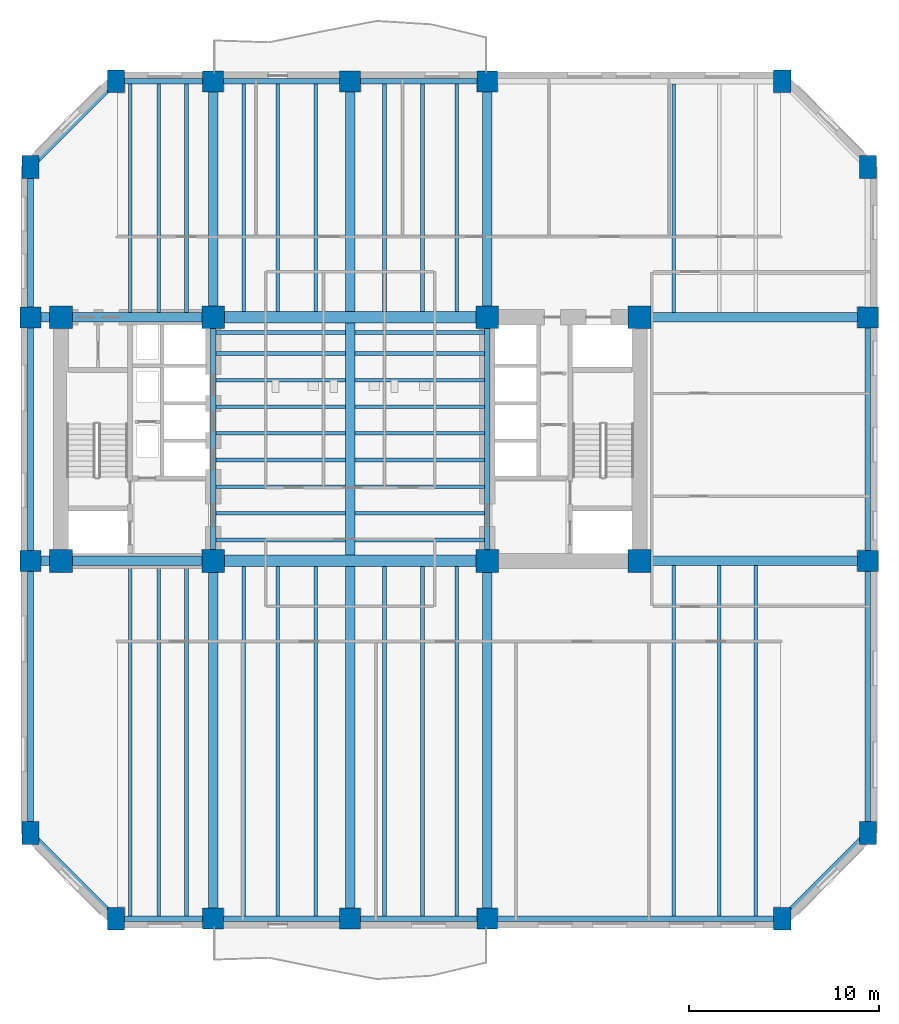
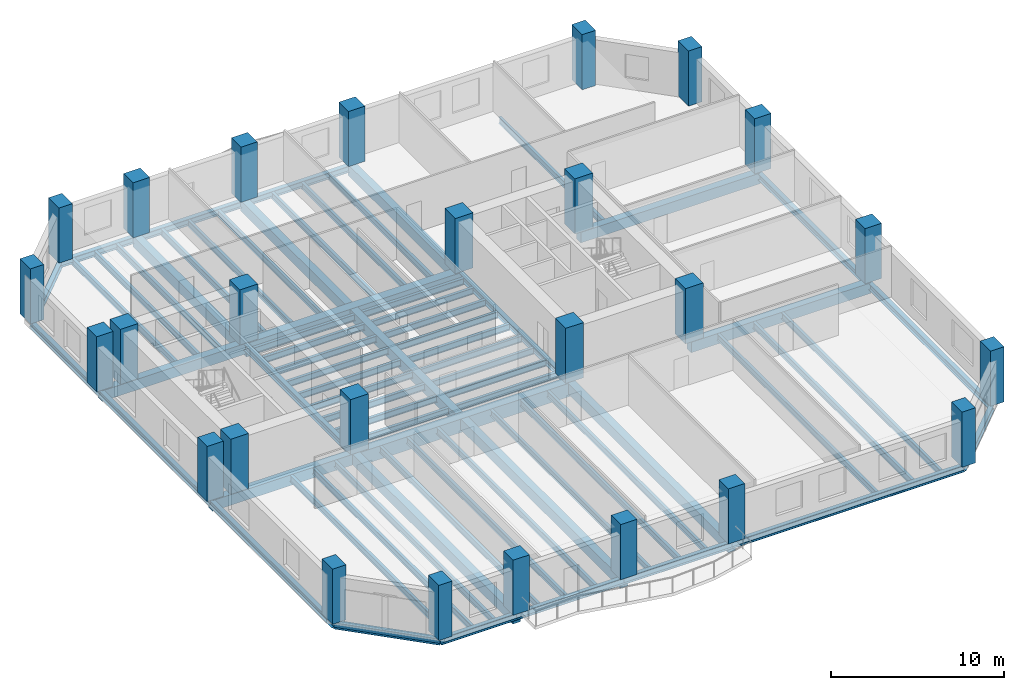
# One storey, part 1 of 9: 70 beams, 26 columns.
"""IFC4 building model written with IfcOpenShell, lengths in metres."""

from ifc_helpers import new_model, si_unit, direction, frame, origin, origin_2d, place, context, subcontext, project, spatial, rectangle, i_section, extrude, material, material_profile, profile_set, type_object, element, save


model = new_model("IFC4")

# Units and contexts
model_context = context("Model", 3, precision=1e-05, world=origin(), true_north=direction((0.0, 1.0)))
body_context = subcontext(model_context, "Body", "Model", "MODEL_VIEW")
ifc_project = project(units=[si_unit("LENGTHUNIT", "METRE"), si_unit("AREAUNIT", "SQUARE_METRE"), si_unit("VOLUMEUNIT", "CUBIC_METRE"), si_unit("PLANEANGLEUNIT", "RADIAN"), si_unit("MASSUNIT", "GRAM", prefix="KILO")], contexts=[model_context])

# Site, building, storey
site_placement = place(None, origin())
site = spatial("IfcSite", under=ifc_project, at=site_placement, CompositionType="ELEMENT")
building_placement = place(site_placement, origin())
building = spatial("IfcBuilding", under=site, at=building_placement, Name="Kranthara Brick Stack", CompositionType="ELEMENT")
storey_placement = place(building_placement, frame((0.0, 0.0, 63.300048828125)))
storey = spatial("IfcBuildingStorey", under=building, at=storey_placement, Name="L15", CompositionType="ELEMENT", Elevation=63.300048828125)

# Columns
ifc_material_1 = material(Name="Concrete C70/85", Category="concrete")
ifc_material_profile_1 = material_profile(ifc_material_1, rectangle(XDim=0.89990234375, YDim=1.199951171875, at=origin_2d()), Name="RC 900x1200")
ifc_profile_set_1 = profile_set([ifc_material_profile_1], Name="Concrete C70/85")
column_type_1 = type_object("IfcColumnType", Name="COL-CHAM-900x1200", PredefinedType="COLUMN", material=ifc_profile_set_1)
for number, where, z_axis, x_axis, name in (
    (1, (15.699951171875, 2.0, 0.0), (0.0, 0.0, 1.0), (1.0, 0.0, 0.0), "L15 Column 09"),
    (2, (15.699951171875, 46.0, 0.0), (0.0, 0.0, 1.0), (1.0, 0.0, 0.0), "L15 Column 10"),
    (3, (50.699951171875, 2.0, 0.0), (0.0, 0.0, 1.0), (1.0, 0.0, 0.0), "L15 Column 17"),
    (4, (50.699951171875, 46.0, 0.0), (0.0, 0.0, 1.0), (1.0, 0.0, 0.0), "L15 Column 18"),
    (5, (11.199951171875, 6.5, 0.0), (0.0, 0.0, 1.0), (1.0, 0.0, 0.0), "L15 Column 19"),
    (6, (55.199951171875, 6.5, 0.0), (0.0, 0.0, 1.0), (1.0, 0.0, 0.0), "L15 Column 20"),
    (7, (11.199951171875, 41.5, 0.0), (0.0, 0.0, 1.0), (1.0, 0.0, 0.0), "L15 Column 25"),
    (8, (55.199951171875, 41.5, 0.0), (0.0, 0.0, 1.0), (1.0, 0.0, 0.0), "L15 Column 26"),
):
    element("IfcColumn", number, at=place(storey_placement, frame(where, z_axis=z_axis, x_axis=x_axis)), inside=storey, type_object=column_type_1, Name=name, PredefinedType="COLUMN", context=body_context, shape_type="SweptSolid", body=[
        extrude(rectangle(XDim=0.89990234375, YDim=1.199951171875, at=origin_2d()), origin(), (0.0, 0.0, 1.0), 3.89990234375),
    ])
ifc_material_2 = material(Name="Concrete C70/85", Category="concrete")
ifc_material_profile_2 = material_profile(ifc_material_2, rectangle(XDim=1.199951171875, YDim=1.199951171875, at=origin_2d()), Name="RC 1200x1200")
ifc_profile_set_2 = profile_set([ifc_material_profile_2], Name="Concrete C70/85")
column_type_2 = type_object("IfcColumnType", Name="COL-CORE-1200", PredefinedType="COLUMN", material=ifc_profile_set_2)
for number, where, z_axis, x_axis, name in (
    (9, (12.800048828125, 20.800048828125, 0.0), (0.0, 0.0, 1.0), (1.0, 0.0, 0.0), "L15 Column 01"),
    (10, (20.800048828125, 20.800048828125, 0.0), (0.0, 0.0, 1.0), (1.0, 0.0, 0.0), "L15 Column 02"),
    (11, (12.800048828125, 33.60009765625, 0.0), (0.0, 0.0, 1.0), (1.0, 0.0, 0.0), "L15 Column 03"),
    (12, (20.800048828125, 33.60009765625, 0.0), (0.0, 0.0, 1.0), (1.0, 0.0, 0.0), "L15 Column 04"),
    (13, (35.199951171875, 20.800048828125, 0.0), (0.0, 0.0, 1.0), (1.0, 0.0, 0.0), "L15 Column 05"),
    (14, (43.199951171875, 20.800048828125, 0.0), (0.0, 0.0, 1.0), (1.0, 0.0, 0.0), "L15 Column 06"),
    (15, (35.199951171875, 33.60009765625, 0.0), (0.0, 0.0, 1.0), (1.0, 0.0, 0.0), "L15 Column 07"),
    (16, (43.199951171875, 33.60009765625, 0.0), (0.0, 0.0, 1.0), (1.0, 0.0, 0.0), "L15 Column 08"),
):
    element("IfcColumn", number, at=place(storey_placement, frame(where, z_axis=z_axis, x_axis=x_axis)), inside=storey, type_object=column_type_2, Name=name, PredefinedType="COLUMN", context=body_context, shape_type="SweptSolid", body=[
        extrude(rectangle(XDim=1.199951171875, YDim=1.199951171875, at=origin_2d()), origin(), (0.0, 0.0, 1.0), 3.89990234375),
    ])
ifc_material_3 = material(Name="Concrete C70/85", Category="concrete")
ifc_material_profile_3 = material_profile(ifc_material_3, rectangle(XDim=1.10009765625, YDim=1.10009765625, at=origin_2d()), Name="RC 1100x1100")
ifc_profile_set_3 = profile_set([ifc_material_profile_3], Name="Concrete C70/85")
column_type_3 = type_object("IfcColumnType", Name="COL-PER-1100", PredefinedType="COLUMN", material=ifc_profile_set_3)
for number, where, z_axis, x_axis, name in (
    (17, (20.800048828125, 2.0, 0.0), (0.0, 0.0, 1.0), (1.0, 0.0, 0.0), "L15 Column 11"),
    (18, (20.800048828125, 46.0, 0.0), (0.0, 0.0, 1.0), (1.0, 0.0, 0.0), "L15 Column 12"),
    (19, (28.0, 2.0, 0.0), (0.0, 0.0, 1.0), (1.0, 0.0, 0.0), "L15 Column 13"),
    (20, (28.0, 46.0, 0.0), (0.0, 0.0, 1.0), (1.0, 0.0, 0.0), "L15 Column 14"),
    (21, (35.199951171875, 2.0, 0.0), (0.0, 0.0, 1.0), (1.0, 0.0, 0.0), "L15 Column 15"),
    (22, (35.199951171875, 46.0, 0.0), (0.0, 0.0, 1.0), (1.0, 0.0, 0.0), "L15 Column 16"),
    (23, (11.199951171875, 20.800048828125, 0.0), (0.0, 0.0, 1.0), (1.0, 0.0, 0.0), "L15 Column 21"),
    (24, (55.199951171875, 20.800048828125, 0.0), (0.0, 0.0, 1.0), (1.0, 0.0, 0.0), "L15 Column 22"),
    (25, (11.199951171875, 33.60009765625, 0.0), (0.0, 0.0, 1.0), (1.0, 0.0, 0.0), "L15 Column 23"),
    (26, (55.199951171875, 33.60009765625, 0.0), (0.0, 0.0, 1.0), (1.0, 0.0, 0.0), "L15 Column 24"),
):
    element("IfcColumn", number, at=place(storey_placement, frame(where, z_axis=z_axis, x_axis=x_axis)), inside=storey, type_object=column_type_3, Name=name, PredefinedType="COLUMN", context=body_context, shape_type="SweptSolid", body=[
        extrude(rectangle(XDim=1.10009765625, YDim=1.10009765625, at=origin_2d()), origin(), (0.0, 0.0, 1.0), 3.89990234375),
    ])

# Beams
ifc_material_4 = material(Name="Concrete C60/75", Category="concrete")
ifc_material_profile_4 = material_profile(ifc_material_4, rectangle(XDim=0.60009765625, YDim=0.949951171875, at=origin_2d()), Name="RC 600x950")
ifc_profile_set_4 = profile_set([ifc_material_profile_4], Name="Concrete C60/75")
beam_type_1 = type_object("IfcBeamType", Name="BM-CPL-RC950", PredefinedType="LINTEL", material=ifc_profile_set_4)
for number, where, z_axis, x_axis, name in (
    (27, (20.800048828125, 20.800048828125, -0.775146484375), (1.0, 0.0, 0.0), (0.0, 1.0, 0.0), "L15 Core Coupling Beam 001"),
    (28, (20.800048828125, 33.60009765625, -0.775146484375), (1.0, 0.0, 0.0), (0.0, 1.0, 0.0), "L15 Core Coupling Beam 002"),
):
    element("IfcBeam", number, at=place(storey_placement, frame(where, z_axis=z_axis, x_axis=x_axis)), inside=storey, type_object=beam_type_1, Name=name, PredefinedType="LINTEL", context=body_context, shape_type="SweptSolid", body=[
        extrude(rectangle(XDim=0.60009765625, YDim=0.949951171875, at=origin_2d()), origin(), (0.0, 0.0, 1.0), 14.39990234375),
    ])
ifc_material_5 = material(Name="Post-tensioned concrete C45/55", Category="concrete")
ifc_material_profile_5 = material_profile(ifc_material_5, rectangle(XDim=0.5, YDim=0.75, at=origin_2d()), Name="PT 500x750")
ifc_profile_set_5 = profile_set([ifc_material_profile_5], Name="Post-tensioned concrete C45/55")
beam_type_2 = type_object("IfcBeamType", Name="BM-FLR-PT750", PredefinedType="BEAM", material=ifc_profile_set_5)
beam_1_placement = place(storey_placement, frame((20.800048828125, 2.0, -0.675048828125), z_axis=(0.0, 1.0, 0.0), x_axis=(-1.0, 0.0, 0.0)))
element("IfcBeam", 29, at=beam_1_placement, inside=storey, type_object=beam_type_2, Name="L15 Primary Grid Girder 023", PredefinedType="BEAM", context=body_context, shape_type="SweptSolid", body=[
    extrude(rectangle(XDim=0.5, YDim=0.75, at=origin_2d()), origin(), (0.0, 0.0, 1.0), 18.800048828125),
])
beam_2_placement = place(storey_placement, frame((20.800048828125, 33.60009765625, -0.675048828125), z_axis=(0.0, 1.0, 0.0), x_axis=(-1.0, 0.0, 0.0)))
element("IfcBeam", 30, at=beam_2_placement, inside=storey, type_object=beam_type_2, Name="L15 Primary Grid Girder 024", PredefinedType="BEAM", context=body_context, shape_type="SweptSolid", body=[
    extrude(rectangle(XDim=0.5, YDim=0.75, at=origin_2d()), origin(), (0.0, 0.0, 1.0), 12.39990234375),
])
beam_3_placement = place(storey_placement, frame((28.0, 2.0, -0.675048828125), z_axis=(0.0, 1.0, 0.0), x_axis=(-1.0, 0.0, 0.0)))
element("IfcBeam", 31, at=beam_3_placement, inside=storey, type_object=beam_type_2, Name="L15 Primary Grid Girder 025", PredefinedType="BEAM", context=body_context, shape_type="SweptSolid", body=[
    extrude(rectangle(XDim=0.5, YDim=0.75, at=origin_2d()), origin(), (0.0, 0.0, 1.0), 18.5),
])
beam_4_placement = place(storey_placement, frame((28.0, 21.10009765625, -0.675048828125), z_axis=(0.0, 1.0, 0.0), x_axis=(-1.0, 0.0, 0.0)))
element("IfcBeam", 32, at=beam_4_placement, inside=storey, type_object=beam_type_2, Name="L15 Central Spine Girder 026", PredefinedType="BEAM", context=body_context, shape_type="SweptSolid", body=[
    extrude(rectangle(XDim=0.5, YDim=0.75, at=origin_2d()), origin(), (0.0, 0.0, 1.0), 12.199951171875),
])
beam_5_placement = place(storey_placement, frame((28.0, 33.89990234375, -0.675048828125), z_axis=(0.0, 1.0, 0.0), x_axis=(-1.0, 0.0, 0.0)))
element("IfcBeam", 33, at=beam_5_placement, inside=storey, type_object=beam_type_2, Name="L15 Primary Grid Girder 027", PredefinedType="BEAM", context=body_context, shape_type="SweptSolid", body=[
    extrude(rectangle(XDim=0.5, YDim=0.75, at=origin_2d()), origin(), (0.0, 0.0, 1.0), 12.10009765625),
])
beam_6_placement = place(storey_placement, frame((35.199951171875, 2.0, -0.675048828125), z_axis=(0.0, 1.0, 0.0), x_axis=(-1.0, 0.0, 0.0)))
element("IfcBeam", 34, at=beam_6_placement, inside=storey, type_object=beam_type_2, Name="L15 Primary Grid Girder 028", PredefinedType="BEAM", context=body_context, shape_type="SweptSolid", body=[
    extrude(rectangle(XDim=0.5, YDim=0.75, at=origin_2d()), origin(), (0.0, 0.0, 1.0), 18.800048828125),
])
beam_7_placement = place(storey_placement, frame((35.199951171875, 33.60009765625, -0.675048828125), z_axis=(0.0, 1.0, 0.0), x_axis=(-1.0, 0.0, 0.0)))
element("IfcBeam", 35, at=beam_7_placement, inside=storey, type_object=beam_type_2, Name="L15 Primary Grid Girder 029", PredefinedType="BEAM", context=body_context, shape_type="SweptSolid", body=[
    extrude(rectangle(XDim=0.5, YDim=0.75, at=origin_2d()), origin(), (0.0, 0.0, 1.0), 12.39990234375),
])
beam_8_placement = place(storey_placement, frame((11.199951171875, 20.800048828125, -0.675048828125), z_axis=(1.0, 0.0, 0.0), x_axis=(0.0, 1.0, 0.0)))
element("IfcBeam", 36, at=beam_8_placement, inside=storey, type_object=beam_type_2, Name="L15 Primary Grid Girder 030", PredefinedType="BEAM", context=body_context, shape_type="SweptSolid", body=[
    extrude(rectangle(XDim=0.5, YDim=0.75, at=origin_2d()), origin(), (0.0, 0.0, 1.0), 9.60009765625),
])
beam_9_placement = place(storey_placement, frame((43.199951171875, 20.800048828125, -0.675048828125), z_axis=(1.0, 0.0, 0.0), x_axis=(0.0, 1.0, 0.0)))
element("IfcBeam", 37, at=beam_9_placement, inside=storey, type_object=beam_type_2, Name="L15 Primary Grid Girder 031", PredefinedType="BEAM", context=body_context, shape_type="SweptSolid", body=[
    extrude(rectangle(XDim=0.5, YDim=0.75, at=origin_2d()), origin(), (0.0, 0.0, 1.0), 12.0),
])
beam_10_placement = place(storey_placement, frame((11.199951171875, 33.60009765625, -0.675048828125), z_axis=(1.0, 0.0, 0.0), x_axis=(0.0, 1.0, 0.0)))
element("IfcBeam", 38, at=beam_10_placement, inside=storey, type_object=beam_type_2, Name="L15 Primary Grid Girder 032", PredefinedType="BEAM", context=body_context, shape_type="SweptSolid", body=[
    extrude(rectangle(XDim=0.5, YDim=0.75, at=origin_2d()), origin(), (0.0, 0.0, 1.0), 9.60009765625),
])
beam_11_placement = place(storey_placement, frame((43.199951171875, 33.60009765625, -0.675048828125), z_axis=(1.0, 0.0, 0.0), x_axis=(0.0, 1.0, 0.0)))
element("IfcBeam", 39, at=beam_11_placement, inside=storey, type_object=beam_type_2, Name="L15 Primary Grid Girder 033", PredefinedType="BEAM", context=body_context, shape_type="SweptSolid", body=[
    extrude(rectangle(XDim=0.5, YDim=0.75, at=origin_2d()), origin(), (0.0, 0.0, 1.0), 12.0),
])
ifc_material_6 = material(Name="Steel S355", Category="steel")
ifc_material_profile_6 = material_profile(ifc_material_6, i_section(OverallWidth=0.18994140625, OverallDepth=0.449951171875, WebThickness=0.009521484375, FlangeThickness=0.0146484375, at=origin_2d()), Name="IPE 450")
ifc_profile_set_6 = profile_set([ifc_material_profile_6], Name="Steel S355")
beam_type_3 = type_object("IfcBeamType", Name="BM-JST-IPE450", PredefinedType="JOIST", material=ifc_profile_set_6)
for number, where, z_axis, x_axis, name in (
    (40, (20.949951171875, 21.89990234375, -0.525146484375), (1.0, 0.0, 0.0), (0.0, 1.0, 0.0), "L15 Central Floor Joist 034"),
    (41, (28.25, 21.89990234375, -0.525146484375), (1.0, 0.0, 0.0), (0.0, 1.0, 0.0), "L15 Central Floor Joist 035"),
    (42, (20.949951171875, 23.300048828125, -0.525146484375), (1.0, 0.0, 0.0), (0.0, 1.0, 0.0), "L15 Central Floor Joist 036"),
    (43, (28.25, 23.300048828125, -0.525146484375), (1.0, 0.0, 0.0), (0.0, 1.0, 0.0), "L15 Central Floor Joist 037"),
    (44, (20.949951171875, 24.699951171875, -0.525146484375), (1.0, 0.0, 0.0), (0.0, 1.0, 0.0), "L15 Central Floor Joist 038"),
    (45, (28.25, 24.699951171875, -0.525146484375), (1.0, 0.0, 0.0), (0.0, 1.0, 0.0), "L15 Central Floor Joist 039"),
    (46, (20.949951171875, 26.10009765625, -0.525146484375), (1.0, 0.0, 0.0), (0.0, 1.0, 0.0), "L15 Central Floor Joist 040"),
    (47, (28.25, 26.10009765625, -0.525146484375), (1.0, 0.0, 0.0), (0.0, 1.0, 0.0), "L15 Central Floor Joist 041"),
    (48, (20.949951171875, 27.5, -0.525146484375), (1.0, 0.0, 0.0), (0.0, 1.0, 0.0), "L15 Central Floor Joist 042"),
    (49, (28.25, 27.5, -0.525146484375), (1.0, 0.0, 0.0), (0.0, 1.0, 0.0), "L15 Central Floor Joist 043"),
    (50, (20.949951171875, 28.89990234375, -0.525146484375), (1.0, 0.0, 0.0), (0.0, 1.0, 0.0), "L15 Central Floor Joist 044"),
    (51, (28.25, 28.89990234375, -0.525146484375), (1.0, 0.0, 0.0), (0.0, 1.0, 0.0), "L15 Central Floor Joist 045"),
    (52, (20.949951171875, 30.300048828125, -0.525146484375), (1.0, 0.0, 0.0), (0.0, 1.0, 0.0), "L15 Central Floor Joist 046"),
    (53, (28.25, 30.300048828125, -0.525146484375), (1.0, 0.0, 0.0), (0.0, 1.0, 0.0), "L15 Central Floor Joist 047"),
    (54, (20.949951171875, 31.699951171875, -0.525146484375), (1.0, 0.0, 0.0), (0.0, 1.0, 0.0), "L15 Central Floor Joist 048"),
    (55, (28.25, 31.699951171875, -0.525146484375), (1.0, 0.0, 0.0), (0.0, 1.0, 0.0), "L15 Central Floor Joist 049"),
    (56, (20.949951171875, 32.800048828125, -0.525146484375), (1.0, 0.0, 0.0), (0.0, 1.0, 0.0), "L15 Central Floor Joist 050"),
    (57, (28.25, 32.800048828125, -0.525146484375), (1.0, 0.0, 0.0), (0.0, 1.0, 0.0), "L15 Central Floor Joist 051"),
):
    element("IfcBeam", number, at=place(storey_placement, frame(where, z_axis=z_axis, x_axis=x_axis)), inside=storey, type_object=beam_type_3, Name=name, PredefinedType="JOIST", context=body_context, shape_type="SweptSolid", body=[
        extrude(i_section(OverallWidth=0.18994140625, OverallDepth=0.449951171875, WebThickness=0.009521484375, FlangeThickness=0.0146484375, at=origin_2d()), origin(), (0.0, 0.0, 1.0), 6.800048828125),
    ])
beam_12_placement = place(storey_placement, frame((16.449951171875, 2.14990234375, -0.525146484375), z_axis=(0.0, 1.0, 0.0), x_axis=(-1.0, 0.0, 0.0)))
element("IfcBeam", 58, at=beam_12_placement, inside=storey, type_object=beam_type_3, Name="L15 South Wing Floor Joist 052", PredefinedType="JOIST", context=body_context, shape_type="SweptSolid", body=[
    extrude(i_section(OverallWidth=0.18994140625, OverallDepth=0.449951171875, WebThickness=0.009521484375, FlangeThickness=0.0146484375, at=origin_2d()), origin(), (0.0, 0.0, 1.0), 18.400146484375),
])
beam_13_placement = place(storey_placement, frame((16.449951171875, 33.85009765625, -0.525146484375), z_axis=(0.0, 1.0, 0.0), x_axis=(-1.0, 0.0, 0.0)))
element("IfcBeam", 59, at=beam_13_placement, inside=storey, type_object=beam_type_3, Name="L15 North Wing Floor Joist 053", PredefinedType="JOIST", context=body_context, shape_type="SweptSolid", body=[
    extrude(i_section(OverallWidth=0.18994140625, OverallDepth=0.449951171875, WebThickness=0.009521484375, FlangeThickness=0.0146484375, at=origin_2d()), origin(), (0.0, 0.0, 1.0), 12.0),
])
beam_14_placement = place(storey_placement, frame((17.949951171875, 2.14990234375, -0.525146484375), z_axis=(0.0, 1.0, 0.0), x_axis=(-1.0, 0.0, 0.0)))
element("IfcBeam", 60, at=beam_14_placement, inside=storey, type_object=beam_type_3, Name="L15 South Wing Floor Joist 054", PredefinedType="JOIST", context=body_context, shape_type="SweptSolid", body=[
    extrude(i_section(OverallWidth=0.18994140625, OverallDepth=0.449951171875, WebThickness=0.009521484375, FlangeThickness=0.0146484375, at=origin_2d()), origin(), (0.0, 0.0, 1.0), 18.400146484375),
])
beam_15_placement = place(storey_placement, frame((17.949951171875, 33.85009765625, -0.525146484375), z_axis=(0.0, 1.0, 0.0), x_axis=(-1.0, 0.0, 0.0)))
element("IfcBeam", 61, at=beam_15_placement, inside=storey, type_object=beam_type_3, Name="L15 North Wing Floor Joist 055", PredefinedType="JOIST", context=body_context, shape_type="SweptSolid", body=[
    extrude(i_section(OverallWidth=0.18994140625, OverallDepth=0.449951171875, WebThickness=0.009521484375, FlangeThickness=0.0146484375, at=origin_2d()), origin(), (0.0, 0.0, 1.0), 12.0),
])
beam_16_placement = place(storey_placement, frame((19.39990234375, 2.14990234375, -0.525146484375), z_axis=(0.0, 1.0, 0.0), x_axis=(-1.0, 0.0, 0.0)))
element("IfcBeam", 62, at=beam_16_placement, inside=storey, type_object=beam_type_3, Name="L15 South Wing Floor Joist 056", PredefinedType="JOIST", context=body_context, shape_type="SweptSolid", body=[
    extrude(i_section(OverallWidth=0.18994140625, OverallDepth=0.449951171875, WebThickness=0.009521484375, FlangeThickness=0.0146484375, at=origin_2d()), origin(), (0.0, 0.0, 1.0), 18.400146484375),
])
beam_17_placement = place(storey_placement, frame((19.39990234375, 33.85009765625, -0.525146484375), z_axis=(0.0, 1.0, 0.0), x_axis=(-1.0, 0.0, 0.0)))
element("IfcBeam", 63, at=beam_17_placement, inside=storey, type_object=beam_type_3, Name="L15 North Wing Floor Joist 057", PredefinedType="JOIST", context=body_context, shape_type="SweptSolid", body=[
    extrude(i_section(OverallWidth=0.18994140625, OverallDepth=0.449951171875, WebThickness=0.009521484375, FlangeThickness=0.0146484375, at=origin_2d()), origin(), (0.0, 0.0, 1.0), 12.0),
])
beam_18_placement = place(storey_placement, frame((22.39990234375, 2.14990234375, -0.525146484375), z_axis=(0.0, 1.0, 0.0), x_axis=(-1.0, 0.0, 0.0)))
element("IfcBeam", 64, at=beam_18_placement, inside=storey, type_object=beam_type_3, Name="L15 South Wing Floor Joist 058", PredefinedType="JOIST", context=body_context, shape_type="SweptSolid", body=[
    extrude(i_section(OverallWidth=0.18994140625, OverallDepth=0.449951171875, WebThickness=0.009521484375, FlangeThickness=0.0146484375, at=origin_2d()), origin(), (0.0, 0.0, 1.0), 18.35009765625),
])
beam_19_placement = place(storey_placement, frame((22.39990234375, 33.89990234375, -0.525146484375), z_axis=(0.0, 1.0, 0.0), x_axis=(-1.0, 0.0, 0.0)))
element("IfcBeam", 65, at=beam_19_placement, inside=storey, type_object=beam_type_3, Name="L15 North Wing Floor Joist 059", PredefinedType="JOIST", context=body_context, shape_type="SweptSolid", body=[
    extrude(i_section(OverallWidth=0.18994140625, OverallDepth=0.449951171875, WebThickness=0.009521484375, FlangeThickness=0.0146484375, at=origin_2d()), origin(), (0.0, 0.0, 1.0), 11.9501953125),
])
beam_20_placement = place(storey_placement, frame((24.199951171875, 2.14990234375, -0.525146484375), z_axis=(0.0, 1.0, 0.0), x_axis=(-1.0, 0.0, 0.0)))
element("IfcBeam", 66, at=beam_20_placement, inside=storey, type_object=beam_type_3, Name="L15 South Wing Floor Joist 060", PredefinedType="JOIST", context=body_context, shape_type="SweptSolid", body=[
    extrude(i_section(OverallWidth=0.18994140625, OverallDepth=0.449951171875, WebThickness=0.009521484375, FlangeThickness=0.0146484375, at=origin_2d()), origin(), (0.0, 0.0, 1.0), 18.35009765625),
])
beam_21_placement = place(storey_placement, frame((24.199951171875, 33.89990234375, -0.525146484375), z_axis=(0.0, 1.0, 0.0), x_axis=(-1.0, 0.0, 0.0)))
element("IfcBeam", 67, at=beam_21_placement, inside=storey, type_object=beam_type_3, Name="L15 North Wing Floor Joist 061", PredefinedType="JOIST", context=body_context, shape_type="SweptSolid", body=[
    extrude(i_section(OverallWidth=0.18994140625, OverallDepth=0.449951171875, WebThickness=0.009521484375, FlangeThickness=0.0146484375, at=origin_2d()), origin(), (0.0, 0.0, 1.0), 11.9501953125),
])
beam_22_placement = place(storey_placement, frame((26.199951171875, 2.14990234375, -0.525146484375), z_axis=(0.0, 1.0, 0.0), x_axis=(-1.0, 0.0, 0.0)))
element("IfcBeam", 68, at=beam_22_placement, inside=storey, type_object=beam_type_3, Name="L15 South Wing Floor Joist 062", PredefinedType="JOIST", context=body_context, shape_type="SweptSolid", body=[
    extrude(i_section(OverallWidth=0.18994140625, OverallDepth=0.449951171875, WebThickness=0.009521484375, FlangeThickness=0.0146484375, at=origin_2d()), origin(), (0.0, 0.0, 1.0), 18.35009765625),
])
beam_23_placement = place(storey_placement, frame((26.199951171875, 33.89990234375, -0.525146484375), z_axis=(0.0, 1.0, 0.0), x_axis=(-1.0, 0.0, 0.0)))
element("IfcBeam", 69, at=beam_23_placement, inside=storey, type_object=beam_type_3, Name="L15 North Wing Floor Joist 063", PredefinedType="JOIST", context=body_context, shape_type="SweptSolid", body=[
    extrude(i_section(OverallWidth=0.18994140625, OverallDepth=0.449951171875, WebThickness=0.009521484375, FlangeThickness=0.0146484375, at=origin_2d()), origin(), (0.0, 0.0, 1.0), 11.9501953125),
])
beam_24_placement = place(storey_placement, frame((29.800048828125, 2.14990234375, -0.525146484375), z_axis=(0.0, 1.0, 0.0), x_axis=(-1.0, 0.0, 0.0)))
element("IfcBeam", 70, at=beam_24_placement, inside=storey, type_object=beam_type_3, Name="L15 South Wing Floor Joist 064", PredefinedType="JOIST", context=body_context, shape_type="SweptSolid", body=[
    extrude(i_section(OverallWidth=0.18994140625, OverallDepth=0.449951171875, WebThickness=0.009521484375, FlangeThickness=0.0146484375, at=origin_2d()), origin(), (0.0, 0.0, 1.0), 18.35009765625),
])
beam_25_placement = place(storey_placement, frame((29.800048828125, 33.89990234375, -0.525146484375), z_axis=(0.0, 1.0, 0.0), x_axis=(-1.0, 0.0, 0.0)))
element("IfcBeam", 71, at=beam_25_placement, inside=storey, type_object=beam_type_3, Name="L15 North Wing Floor Joist 065", PredefinedType="JOIST", context=body_context, shape_type="SweptSolid", body=[
    extrude(i_section(OverallWidth=0.18994140625, OverallDepth=0.449951171875, WebThickness=0.009521484375, FlangeThickness=0.0146484375, at=origin_2d()), origin(), (0.0, 0.0, 1.0), 11.9501953125),
])
beam_26_placement = place(storey_placement, frame((31.800048828125, 2.14990234375, -0.525146484375), z_axis=(0.0, 1.0, 0.0), x_axis=(-1.0, 0.0, 0.0)))
element("IfcBeam", 72, at=beam_26_placement, inside=storey, type_object=beam_type_3, Name="L15 South Wing Floor Joist 066", PredefinedType="JOIST", context=body_context, shape_type="SweptSolid", body=[
    extrude(i_section(OverallWidth=0.18994140625, OverallDepth=0.449951171875, WebThickness=0.009521484375, FlangeThickness=0.0146484375, at=origin_2d()), origin(), (0.0, 0.0, 1.0), 18.35009765625),
])
beam_27_placement = place(storey_placement, frame((31.800048828125, 33.89990234375, -0.525146484375), z_axis=(0.0, 1.0, 0.0), x_axis=(-1.0, 0.0, 0.0)))
element("IfcBeam", 73, at=beam_27_placement, inside=storey, type_object=beam_type_3, Name="L15 North Wing Floor Joist 067", PredefinedType="JOIST", context=body_context, shape_type="SweptSolid", body=[
    extrude(i_section(OverallWidth=0.18994140625, OverallDepth=0.449951171875, WebThickness=0.009521484375, FlangeThickness=0.0146484375, at=origin_2d()), origin(), (0.0, 0.0, 1.0), 11.9501953125),
])
beam_28_placement = place(storey_placement, frame((33.60009765625, 2.14990234375, -0.525146484375), z_axis=(0.0, 1.0, 0.0), x_axis=(-1.0, 0.0, 0.0)))
element("IfcBeam", 74, at=beam_28_placement, inside=storey, type_object=beam_type_3, Name="L15 South Wing Floor Joist 068", PredefinedType="JOIST", context=body_context, shape_type="SweptSolid", body=[
    extrude(i_section(OverallWidth=0.18994140625, OverallDepth=0.449951171875, WebThickness=0.009521484375, FlangeThickness=0.0146484375, at=origin_2d()), origin(), (0.0, 0.0, 1.0), 18.35009765625),
])
beam_29_placement = place(storey_placement, frame((33.60009765625, 33.89990234375, -0.525146484375), z_axis=(0.0, 1.0, 0.0), x_axis=(-1.0, 0.0, 0.0)))
element("IfcBeam", 75, at=beam_29_placement, inside=storey, type_object=beam_type_3, Name="L15 North Wing Floor Joist 069", PredefinedType="JOIST", context=body_context, shape_type="SweptSolid", body=[
    extrude(i_section(OverallWidth=0.18994140625, OverallDepth=0.449951171875, WebThickness=0.009521484375, FlangeThickness=0.0146484375, at=origin_2d()), origin(), (0.0, 0.0, 1.0), 11.9501953125),
])
beam_30_placement = place(storey_placement, frame((45.0, 2.14990234375, -0.525146484375), z_axis=(0.0, 1.0, 0.0), x_axis=(-1.0, 0.0, 0.0)))
element("IfcBeam", 76, at=beam_30_placement, inside=storey, type_object=beam_type_3, Name="L15 South Wing Floor Joist 070", PredefinedType="JOIST", context=body_context, shape_type="SweptSolid", body=[
    extrude(i_section(OverallWidth=0.18994140625, OverallDepth=0.449951171875, WebThickness=0.009521484375, FlangeThickness=0.0146484375, at=origin_2d()), origin(), (0.0, 0.0, 1.0), 18.400146484375),
])
beam_31_placement = place(storey_placement, frame((45.0, 33.85009765625, -0.525146484375), z_axis=(0.0, 1.0, 0.0), x_axis=(-1.0, 0.0, 0.0)))
element("IfcBeam", 77, at=beam_31_placement, inside=storey, type_object=beam_type_3, Name="L15 North Wing Floor Joist 071", PredefinedType="JOIST", context=body_context, shape_type="SweptSolid", body=[
    extrude(i_section(OverallWidth=0.18994140625, OverallDepth=0.449951171875, WebThickness=0.009521484375, FlangeThickness=0.0146484375, at=origin_2d()), origin(), (0.0, 0.0, 1.0), 12.0),
])
for number, where, z_axis, x_axis, name in (
    (78, (47.39990234375, 2.14990234375, -0.525146484375), (0.0, 1.0, 0.0), (-1.0, 0.0, 0.0), "L15 South Wing Floor Joist 072"),
    (79, (49.300048828125, 2.14990234375, -0.525146484375), (0.0, 1.0, 0.0), (-1.0, 0.0, 0.0), "L15 South Wing Floor Joist 074"),
):
    element("IfcBeam", number, at=place(storey_placement, frame(where, z_axis=z_axis, x_axis=x_axis)), inside=storey, type_object=beam_type_3, Name=name, PredefinedType="JOIST", context=body_context, shape_type="SweptSolid", body=[
        extrude(i_section(OverallWidth=0.18994140625, OverallDepth=0.449951171875, WebThickness=0.009521484375, FlangeThickness=0.0146484375, at=origin_2d()), origin(), (0.0, 0.0, 1.0), 18.400146484375),
    ])
ifc_material_7 = material(Name="Steel S355", Category="steel")
ifc_material_profile_7 = material_profile(ifc_material_7, i_section(OverallWidth=0.300048828125, OverallDepth=0.449951171875, WebThickness=0.013916015625, FlangeThickness=0.02587890625, at=origin_2d()), Name="HEB 450")
ifc_profile_set_7 = profile_set([ifc_material_profile_7], Name="Steel S355")
beam_type_4 = type_object("IfcBeamType", Name="BM-STL-HEB450", PredefinedType="SPANDREL", material=ifc_profile_set_7)
for number, where, z_axis, x_axis, name in (
    (80, (20.800048828125, 20.800048828125, -0.525146484375), (0.0, 1.0, 0.0), (-1.0, 0.0, 0.0), "L15 Core Edge Tie Beam 003"),
    (81, (35.199951171875, 20.800048828125, -0.525146484375), (0.0, 1.0, 0.0), (-1.0, 0.0, 0.0), "L15 Core Edge Tie Beam 004"),
):
    element("IfcBeam", number, at=place(storey_placement, frame(where, z_axis=z_axis, x_axis=x_axis)), inside=storey, type_object=beam_type_4, Name=name, PredefinedType="SPANDREL", context=body_context, shape_type="SweptSolid", body=[
        extrude(i_section(OverallWidth=0.300048828125, OverallDepth=0.449951171875, WebThickness=0.013916015625, FlangeThickness=0.02587890625, at=origin_2d()), origin(), (0.0, 0.0, 1.0), 12.800048828125),
    ])
beam_32_placement = place(storey_placement, frame((15.699951171875, 2.0, -0.525146484375), z_axis=(1.0, 0.0, 0.0), x_axis=(0.0, 1.0, 0.0)))
element("IfcBeam", 82, at=beam_32_placement, inside=storey, type_object=beam_type_4, Name="L15 Perimeter Spandrel Beam 005", PredefinedType="SPANDREL", context=body_context, shape_type="SweptSolid", body=[
    extrude(i_section(OverallWidth=0.300048828125, OverallDepth=0.449951171875, WebThickness=0.013916015625, FlangeThickness=0.02587890625, at=origin_2d()), origin(), (0.0, 0.0, 1.0), 5.10009765625),
])
for number, where, z_axis, x_axis, name in (
    (83, (20.800048828125, 2.0, -0.525146484375), (1.0, 0.0, 0.0), (0.0, 1.0, 0.0), "L15 Perimeter Spandrel Beam 006"),
    (84, (28.0, 2.0, -0.525146484375), (1.0, 0.0, 0.0), (0.0, 1.0, 0.0), "L15 Perimeter Spandrel Beam 007"),
):
    element("IfcBeam", number, at=place(storey_placement, frame(where, z_axis=z_axis, x_axis=x_axis)), inside=storey, type_object=beam_type_4, Name=name, PredefinedType="SPANDREL", context=body_context, shape_type="SweptSolid", body=[
        extrude(i_section(OverallWidth=0.300048828125, OverallDepth=0.449951171875, WebThickness=0.013916015625, FlangeThickness=0.02587890625, at=origin_2d()), origin(), (0.0, 0.0, 1.0), 7.199951171875),
    ])
beam_33_placement = place(storey_placement, frame((35.199951171875, 2.0, -0.525146484375), z_axis=(1.0, 0.0, 0.0), x_axis=(0.0, 1.0, 0.0)))
element("IfcBeam", 85, at=beam_33_placement, inside=storey, type_object=beam_type_4, Name="L15 Perimeter Spandrel Beam 008", PredefinedType="SPANDREL", context=body_context, shape_type="SweptSolid", body=[
    extrude(i_section(OverallWidth=0.300048828125, OverallDepth=0.449951171875, WebThickness=0.013916015625, FlangeThickness=0.02587890625, at=origin_2d()), origin(), (0.0, 0.0, 1.0), 15.5),
])
beam_34_placement = place(storey_placement, frame((15.699951171875, 46.0, -0.525146484375), z_axis=(1.0, 0.0, 0.0), x_axis=(0.0, 1.0, 0.0)))
element("IfcBeam", 86, at=beam_34_placement, inside=storey, type_object=beam_type_4, Name="L15 Perimeter Spandrel Beam 009", PredefinedType="SPANDREL", context=body_context, shape_type="SweptSolid", body=[
    extrude(i_section(OverallWidth=0.300048828125, OverallDepth=0.449951171875, WebThickness=0.013916015625, FlangeThickness=0.02587890625, at=origin_2d()), origin(), (0.0, 0.0, 1.0), 5.10009765625),
])
for number, where, z_axis, x_axis, name in (
    (87, (20.800048828125, 46.0, -0.525146484375), (1.0, 0.0, 0.0), (0.0, 1.0, 0.0), "L15 Perimeter Spandrel Beam 010"),
    (88, (28.0, 46.0, -0.525146484375), (1.0, 0.0, 0.0), (0.0, 1.0, 0.0), "L15 Perimeter Spandrel Beam 011"),
):
    element("IfcBeam", number, at=place(storey_placement, frame(where, z_axis=z_axis, x_axis=x_axis)), inside=storey, type_object=beam_type_4, Name=name, PredefinedType="SPANDREL", context=body_context, shape_type="SweptSolid", body=[
        extrude(i_section(OverallWidth=0.300048828125, OverallDepth=0.449951171875, WebThickness=0.013916015625, FlangeThickness=0.02587890625, at=origin_2d()), origin(), (0.0, 0.0, 1.0), 7.199951171875),
    ])
beam_35_placement = place(storey_placement, frame((11.199951171875, 6.5, -0.525146484375), z_axis=(0.0, 1.0, 0.0), x_axis=(-1.0, 0.0, 0.0)))
element("IfcBeam", 89, at=beam_35_placement, inside=storey, type_object=beam_type_4, Name="L15 Perimeter Spandrel Beam 013", PredefinedType="SPANDREL", context=body_context, shape_type="SweptSolid", body=[
    extrude(i_section(OverallWidth=0.300048828125, OverallDepth=0.449951171875, WebThickness=0.013916015625, FlangeThickness=0.02587890625, at=origin_2d()), origin(), (0.0, 0.0, 1.0), 14.300048828125),
])
beam_36_placement = place(storey_placement, frame((11.199951171875, 20.800048828125, -0.525146484375), z_axis=(0.0, 1.0, 0.0), x_axis=(-1.0, 0.0, 0.0)))
element("IfcBeam", 90, at=beam_36_placement, inside=storey, type_object=beam_type_4, Name="L15 Perimeter Spandrel Beam 014", PredefinedType="SPANDREL", context=body_context, shape_type="SweptSolid", body=[
    extrude(i_section(OverallWidth=0.300048828125, OverallDepth=0.449951171875, WebThickness=0.013916015625, FlangeThickness=0.02587890625, at=origin_2d()), origin(), (0.0, 0.0, 1.0), 12.800048828125),
])
beam_37_placement = place(storey_placement, frame((11.199951171875, 33.60009765625, -0.525146484375), z_axis=(0.0, 1.0, 0.0), x_axis=(-1.0, 0.0, 0.0)))
element("IfcBeam", 91, at=beam_37_placement, inside=storey, type_object=beam_type_4, Name="L15 Perimeter Spandrel Beam 015", PredefinedType="SPANDREL", context=body_context, shape_type="SweptSolid", body=[
    extrude(i_section(OverallWidth=0.300048828125, OverallDepth=0.449951171875, WebThickness=0.013916015625, FlangeThickness=0.02587890625, at=origin_2d()), origin(), (0.0, 0.0, 1.0), 7.89990234375),
])
beam_38_placement = place(storey_placement, frame((55.199951171875, 6.5, -0.525146484375), z_axis=(0.0, 1.0, 0.0), x_axis=(-1.0, 0.0, 0.0)))
element("IfcBeam", 92, at=beam_38_placement, inside=storey, type_object=beam_type_4, Name="L15 Perimeter Spandrel Beam 016", PredefinedType="SPANDREL", context=body_context, shape_type="SweptSolid", body=[
    extrude(i_section(OverallWidth=0.300048828125, OverallDepth=0.449951171875, WebThickness=0.013916015625, FlangeThickness=0.02587890625, at=origin_2d()), origin(), (0.0, 0.0, 1.0), 14.300048828125),
])
beam_39_placement = place(storey_placement, frame((55.199951171875, 20.800048828125, -0.525146484375), z_axis=(0.0, 1.0, 0.0), x_axis=(-1.0, 0.0, 0.0)))
element("IfcBeam", 93, at=beam_39_placement, inside=storey, type_object=beam_type_4, Name="L15 Perimeter Spandrel Beam 017", PredefinedType="SPANDREL", context=body_context, shape_type="SweptSolid", body=[
    extrude(i_section(OverallWidth=0.300048828125, OverallDepth=0.449951171875, WebThickness=0.013916015625, FlangeThickness=0.02587890625, at=origin_2d()), origin(), (0.0, 0.0, 1.0), 12.800048828125),
])
for number, where, z_axis, x_axis, name in (
    (94, (15.699951171875, 2.0, -0.525146484375), (-0.707106781187, 0.707106781187, 0.0), (-0.707106781187, -0.707106781187, 0.0), "L15 Chamfer Corner Spandrel 019"),
    (95, (50.699951171875, 2.0, -0.525146484375), (0.707106781187, 0.707106781187, 0.0), (-0.707106781187, 0.707106781187, 0.0), "L15 Chamfer Corner Spandrel 020"),
    (96, (15.699951171875, 46.0, -0.525146484375), (-0.707106781187, -0.707106781187, 0.0), (0.707106781187, -0.707106781187, 0.0), "L15 Chamfer Corner Spandrel 021"),
):
    element("IfcBeam", number, at=place(storey_placement, frame(where, z_axis=z_axis, x_axis=x_axis)), inside=storey, type_object=beam_type_4, Name=name, PredefinedType="SPANDREL", context=body_context, shape_type="SweptSolid", body=[
        extrude(i_section(OverallWidth=0.300048828125, OverallDepth=0.449951171875, WebThickness=0.013916015625, FlangeThickness=0.02587890625, at=origin_2d()), origin(), (0.0, 0.0, 1.0), 6.364013671875),
    ])

save(model, "model.ifc")
